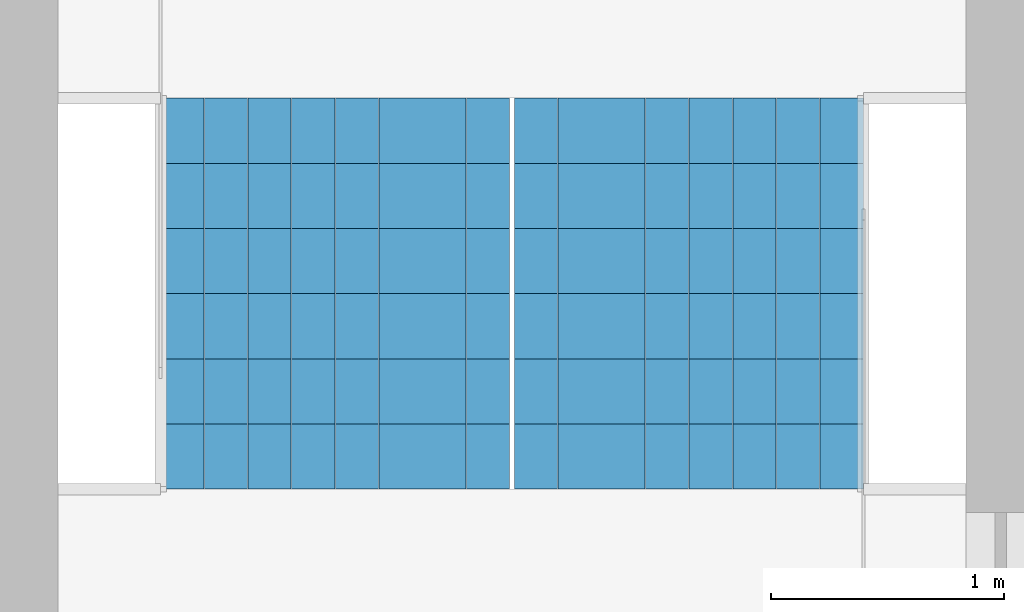
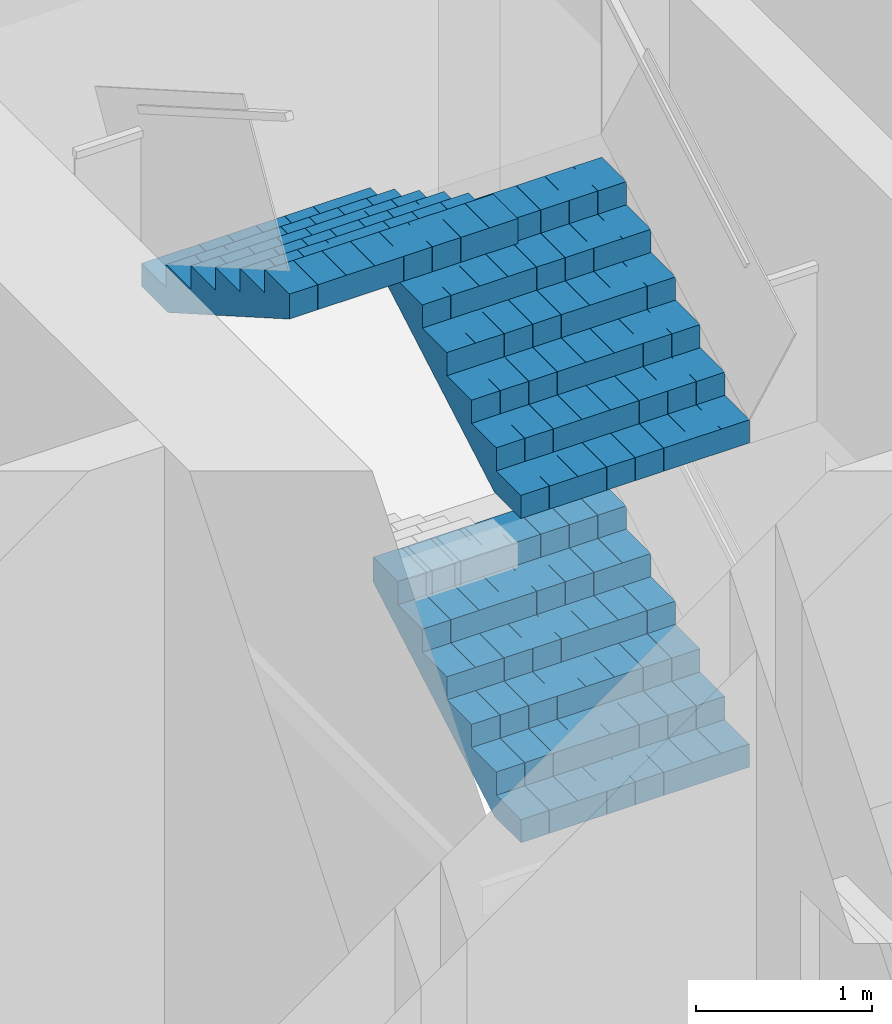
# One storey, part 21 of 23: 3 stair flights, 1 element without a shape of its own.
"""IFC4 building model written with IfcOpenShell, lengths in metres."""

from ifc_helpers import new_model, si_unit, direction, frame, origin, place, context, subcontext, project, spatial, polyline, outline, extrude, material, type_object, element, aggregate, save


model = new_model("IFC4")

# Units and contexts
model_context = context("Model", 3, precision=1e-05, world=origin(), true_north=direction((0.0, 1.0)))
body_context = subcontext(model_context, "Body", "Model", "MODEL_VIEW")
ifc_project = project(units=[si_unit("LENGTHUNIT", "METRE"), si_unit("AREAUNIT", "SQUARE_METRE"), si_unit("VOLUMEUNIT", "CUBIC_METRE"), si_unit("PLANEANGLEUNIT", "RADIAN"), si_unit("MASSUNIT", "GRAM", prefix="KILO")], contexts=[model_context])

# Site, building, storey
site_placement = place(None, origin())
site = spatial("IfcSite", under=ifc_project, at=site_placement, CompositionType="ELEMENT")
building_placement = place(site_placement, origin())
building = spatial("IfcBuilding", under=site, at=building_placement, Name="Kolab Exchange Tower", CompositionType="ELEMENT")
storey_placement = place(building_placement, frame((0.0, 0.0, 95.89990234375)))
storey = spatial("IfcBuildingStorey", under=building, at=storey_placement, Name="L18", CompositionType="ELEMENT", Elevation=95.89990234375)

# Stair, stair flights
ifc_material = material(Name="Concrete C50/60", Category="concrete")
stair_type = type_object("IfcStairType", Name="STAIR ST1 RISER 160.7", PredefinedType="DOUBLE_RETURN_STAIR", material=ifc_material)
stair_placement = place(storey_placement, origin())
stair = element("IfcStair", 1, at=stair_placement, inside=storey, type_object=stair_type, Name="Stair 1", PredefinedType="DOUBLE_RETURN_STAIR")
stair_flight_type = type_object("IfcStairFlightType", Name="STAIR FLIGHT 1500 RISER 160.7", PredefinedType="STRAIGHT", material=ifc_material)
stair_flight_1_placement = place(storey_placement, frame((-6.43994140625, 5.550048828125, 0.0), z_axis=(0.0, 0.0, 1.0), x_axis=(0.0, 1.0, 0.0)))
stair_flight_1 = element("IfcStairFlight", 2, at=stair_flight_1_placement, type_object=stair_flight_type, Name="ST1 flight 1", NumberOfRisers=7, NumberOfTreads=6, PredefinedType="STRAIGHT", RiserHeight=0.160714286, TreadLength=0.28, context=body_context, shape_type="SweptSolid", body=[
    extrude(outline(polyline([(0.0, 0.0), (0.0, 0.16064453125), (0.280029296875, 0.16064453125), (0.280029296875, 0.321533203125), (0.56005859375, 0.321533203125), (0.56005859375, 0.482177734375), (0.840087890625, 0.482177734375), (0.840087890625, 0.642822265625), (1.1201171875, 0.642822265625), (1.1201171875, 0.803466796875), (1.39990234375, 0.803466796875), (1.39990234375, 0.96435546875), (1.679931640625, 0.96435546875), (1.679931640625, 1.125), (1.679931640625, 0.79150390625), (0.301025390625, 0.0), (0.0, 0.0)])), frame((0.0, 0.75, 0.0), z_axis=(0.0, -1.0, 0.0), x_axis=(1.0, 0.0, 0.0)), (0.0, 0.0, 1.0), 0.185791015625),
    extrude(outline(polyline([(0.0, 0.0), (0.0, 0.16064453125), (0.280029296875, 0.16064453125), (0.280029296875, 0.321533203125), (0.56005859375, 0.321533203125), (0.56005859375, 0.482177734375), (0.840087890625, 0.482177734375), (0.840087890625, 0.642822265625), (1.1201171875, 0.642822265625), (1.1201171875, 0.803466796875), (1.39990234375, 0.803466796875), (1.39990234375, 0.96435546875), (1.679931640625, 0.96435546875), (1.679931640625, 1.125), (1.679931640625, 0.79150390625), (0.301025390625, 0.0), (0.0, 0.0)])), frame((0.0, 0.562255859375, 0.0), z_axis=(0.0, -1.0, 0.0), x_axis=(1.0, 0.0, 0.0)), (0.0, 0.0, 1.0), 0.185791015625),
    extrude(outline(polyline([(0.0, 0.0), (0.0, 0.16064453125), (0.280029296875, 0.16064453125), (0.280029296875, 0.321533203125), (0.56005859375, 0.321533203125), (0.56005859375, 0.482177734375), (0.840087890625, 0.482177734375), (0.840087890625, 0.642822265625), (1.1201171875, 0.642822265625), (1.1201171875, 0.803466796875), (1.39990234375, 0.803466796875), (1.39990234375, 0.96435546875), (1.679931640625, 0.96435546875), (1.679931640625, 1.125), (1.679931640625, 0.79150390625), (0.301025390625, 0.0), (0.0, 0.0)])), frame((0.0, 0.37451171875, 0.0), z_axis=(0.0, -1.0, 0.0), x_axis=(1.0, 0.0, 0.0)), (0.0, 0.0, 1.0), 0.185791015625),
    extrude(outline(polyline([(0.0, 0.0), (0.0, 0.16064453125), (0.280029296875, 0.16064453125), (0.280029296875, 0.321533203125), (0.56005859375, 0.321533203125), (0.56005859375, 0.482177734375), (0.840087890625, 0.482177734375), (0.840087890625, 0.642822265625), (1.1201171875, 0.642822265625), (1.1201171875, 0.803466796875), (1.39990234375, 0.803466796875), (1.39990234375, 0.96435546875), (1.679931640625, 0.96435546875), (1.679931640625, 1.125), (1.679931640625, 0.79150390625), (0.301025390625, 0.0), (0.0, 0.0)])), frame((0.0, 0.186767578125, 0.0), z_axis=(0.0, -1.0, 0.0), x_axis=(1.0, 0.0, 0.0)), (0.0, 0.0, 1.0), 0.185791015625),
    extrude(outline(polyline([(0.0, 0.0), (0.0, 0.16064453125), (0.280029296875, 0.16064453125), (0.280029296875, 0.321533203125), (0.56005859375, 0.321533203125), (0.56005859375, 0.482177734375), (0.840087890625, 0.482177734375), (0.840087890625, 0.642822265625), (1.1201171875, 0.642822265625), (1.1201171875, 0.803466796875), (1.39990234375, 0.803466796875), (1.39990234375, 0.96435546875), (1.679931640625, 0.96435546875), (1.679931640625, 1.125), (1.679931640625, 0.79150390625), (0.301025390625, 0.0), (0.0, 0.0)])), frame((0.0, -0.0009765625, 0.0), z_axis=(0.0, -1.0, 0.0), x_axis=(1.0, 0.0, 0.0)), (0.0, 0.0, 1.0), 0.185791015625),
    extrude(outline(polyline([(0.0, 0.0), (0.0, 0.16064453125), (0.280029296875, 0.16064453125), (0.280029296875, 0.321533203125), (0.56005859375, 0.321533203125), (0.56005859375, 0.482177734375), (0.840087890625, 0.482177734375), (0.840087890625, 0.642822265625), (1.1201171875, 0.642822265625), (1.1201171875, 0.803466796875), (1.39990234375, 0.803466796875), (1.39990234375, 0.96435546875), (1.679931640625, 0.96435546875), (1.679931640625, 1.125), (1.679931640625, 0.79150390625), (0.301025390625, 0.0), (0.0, 0.0)])), frame((0.0, -0.188720703125, 0.0), z_axis=(0.0, -1.0, 0.0), x_axis=(1.0, 0.0, 0.0)), (0.0, 0.0, 1.0), 0.185791015625),
    extrude(outline(polyline([(0.0, 0.0), (0.0, 0.16064453125), (0.280029296875, 0.16064453125), (0.280029296875, 0.321533203125), (0.56005859375, 0.321533203125), (0.56005859375, 0.482177734375), (0.840087890625, 0.482177734375), (0.840087890625, 0.642822265625), (1.1201171875, 0.642822265625), (1.1201171875, 0.803466796875), (1.39990234375, 0.803466796875), (1.39990234375, 0.96435546875), (1.679931640625, 0.96435546875), (1.679931640625, 1.125), (1.679931640625, 0.79150390625), (0.301025390625, 0.0), (0.0, 0.0)])), frame((0.0, -0.37646484375, 0.0), z_axis=(0.0, -1.0, 0.0), x_axis=(1.0, 0.0, 0.0)), (0.0, 0.0, 1.0), 0.185791015625),
    extrude(outline(polyline([(0.0, 0.0), (0.0, 0.16064453125), (0.280029296875, 0.16064453125), (0.280029296875, 0.321533203125), (0.56005859375, 0.321533203125), (0.56005859375, 0.482177734375), (0.840087890625, 0.482177734375), (0.840087890625, 0.642822265625), (1.1201171875, 0.642822265625), (1.1201171875, 0.803466796875), (1.39990234375, 0.803466796875), (1.39990234375, 0.96435546875), (1.679931640625, 0.96435546875), (1.679931640625, 1.125), (1.679931640625, 0.79150390625), (0.301025390625, 0.0), (0.0, 0.0)])), frame((0.0, -0.564208984375, 0.0), z_axis=(0.0, -1.0, 0.0), x_axis=(1.0, 0.0, 0.0)), (0.0, 0.0, 1.0), 0.185791015625),
])
stair_flight_2_placement = place(storey_placement, frame((-6.43994140625, 5.550048828125, 2.25), z_axis=(0.0, 0.0, 1.0), x_axis=(0.0, 1.0, 0.0)))
stair_flight_2 = element("IfcStairFlight", 3, at=stair_flight_2_placement, type_object=stair_flight_type, Name="ST1 flight 3", NumberOfRisers=7, NumberOfTreads=6, PredefinedType="STRAIGHT", RiserHeight=0.160714286, TreadLength=0.28, context=body_context, shape_type="SweptSolid", body=[
    extrude(outline(polyline([(0.0, 0.0), (0.0, 0.16064453125), (0.280029296875, 0.16064453125), (0.280029296875, 0.321533203125), (0.56005859375, 0.321533203125), (0.56005859375, 0.482177734375), (0.840087890625, 0.482177734375), (0.840087890625, 0.642822265625), (1.1201171875, 0.642822265625), (1.1201171875, 0.803466796875), (1.39990234375, 0.803466796875), (1.39990234375, 0.96435546875), (1.679931640625, 0.96435546875), (1.679931640625, 1.125), (1.679931640625, 0.79150390625), (0.301025390625, 0.0), (0.0, 0.0)])), frame((0.0, 0.75, 0.0), z_axis=(0.0, -1.0, 0.0), x_axis=(1.0, 0.0, 0.0)), (0.0, 0.0, 1.0), 0.185791015625),
    extrude(outline(polyline([(0.0, 0.0), (0.0, 0.16064453125), (0.280029296875, 0.16064453125), (0.280029296875, 0.321533203125), (0.56005859375, 0.321533203125), (0.56005859375, 0.482177734375), (0.840087890625, 0.482177734375), (0.840087890625, 0.642822265625), (1.1201171875, 0.642822265625), (1.1201171875, 0.803466796875), (1.39990234375, 0.803466796875), (1.39990234375, 0.96435546875), (1.679931640625, 0.96435546875), (1.679931640625, 1.125), (1.679931640625, 0.79150390625), (0.301025390625, 0.0), (0.0, 0.0)])), frame((0.0, 0.562255859375, 0.0), z_axis=(0.0, -1.0, 0.0), x_axis=(1.0, 0.0, 0.0)), (0.0, 0.0, 1.0), 0.185791015625),
    extrude(outline(polyline([(0.0, 0.0), (0.0, 0.16064453125), (0.280029296875, 0.16064453125), (0.280029296875, 0.321533203125), (0.56005859375, 0.321533203125), (0.56005859375, 0.482177734375), (0.840087890625, 0.482177734375), (0.840087890625, 0.642822265625), (1.1201171875, 0.642822265625), (1.1201171875, 0.803466796875), (1.39990234375, 0.803466796875), (1.39990234375, 0.96435546875), (1.679931640625, 0.96435546875), (1.679931640625, 1.125), (1.679931640625, 0.79150390625), (0.301025390625, 0.0), (0.0, 0.0)])), frame((0.0, 0.37451171875, 0.0), z_axis=(0.0, -1.0, 0.0), x_axis=(1.0, 0.0, 0.0)), (0.0, 0.0, 1.0), 0.185791015625),
    extrude(outline(polyline([(0.0, 0.0), (0.0, 0.16064453125), (0.280029296875, 0.16064453125), (0.280029296875, 0.321533203125), (0.56005859375, 0.321533203125), (0.56005859375, 0.482177734375), (0.840087890625, 0.482177734375), (0.840087890625, 0.642822265625), (1.1201171875, 0.642822265625), (1.1201171875, 0.803466796875), (1.39990234375, 0.803466796875), (1.39990234375, 0.96435546875), (1.679931640625, 0.96435546875), (1.679931640625, 1.125), (1.679931640625, 0.79150390625), (0.301025390625, 0.0), (0.0, 0.0)])), frame((0.0, 0.186767578125, 0.0), z_axis=(0.0, -1.0, 0.0), x_axis=(1.0, 0.0, 0.0)), (0.0, 0.0, 1.0), 0.185791015625),
    extrude(outline(polyline([(0.0, 0.0), (0.0, 0.16064453125), (0.280029296875, 0.16064453125), (0.280029296875, 0.321533203125), (0.56005859375, 0.321533203125), (0.56005859375, 0.482177734375), (0.840087890625, 0.482177734375), (0.840087890625, 0.642822265625), (1.1201171875, 0.642822265625), (1.1201171875, 0.803466796875), (1.39990234375, 0.803466796875), (1.39990234375, 0.96435546875), (1.679931640625, 0.96435546875), (1.679931640625, 1.125), (1.679931640625, 0.79150390625), (0.301025390625, 0.0), (0.0, 0.0)])), frame((0.0, -0.0009765625, 0.0), z_axis=(0.0, -1.0, 0.0), x_axis=(1.0, 0.0, 0.0)), (0.0, 0.0, 1.0), 0.185791015625),
    extrude(outline(polyline([(0.0, 0.0), (0.0, 0.16064453125), (0.280029296875, 0.16064453125), (0.280029296875, 0.321533203125), (0.56005859375, 0.321533203125), (0.56005859375, 0.482177734375), (0.840087890625, 0.482177734375), (0.840087890625, 0.642822265625), (1.1201171875, 0.642822265625), (1.1201171875, 0.803466796875), (1.39990234375, 0.803466796875), (1.39990234375, 0.96435546875), (1.679931640625, 0.96435546875), (1.679931640625, 1.125), (1.679931640625, 0.79150390625), (0.301025390625, 0.0), (0.0, 0.0)])), frame((0.0, -0.188720703125, 0.0), z_axis=(0.0, -1.0, 0.0), x_axis=(1.0, 0.0, 0.0)), (0.0, 0.0, 1.0), 0.185791015625),
    extrude(outline(polyline([(0.0, 0.0), (0.0, 0.16064453125), (0.280029296875, 0.16064453125), (0.280029296875, 0.321533203125), (0.56005859375, 0.321533203125), (0.56005859375, 0.482177734375), (0.840087890625, 0.482177734375), (0.840087890625, 0.642822265625), (1.1201171875, 0.642822265625), (1.1201171875, 0.803466796875), (1.39990234375, 0.803466796875), (1.39990234375, 0.96435546875), (1.679931640625, 0.96435546875), (1.679931640625, 1.125), (1.679931640625, 0.79150390625), (0.301025390625, 0.0), (0.0, 0.0)])), frame((0.0, -0.37646484375, 0.0), z_axis=(0.0, -1.0, 0.0), x_axis=(1.0, 0.0, 0.0)), (0.0, 0.0, 1.0), 0.185791015625),
    extrude(outline(polyline([(0.0, 0.0), (0.0, 0.16064453125), (0.280029296875, 0.16064453125), (0.280029296875, 0.321533203125), (0.56005859375, 0.321533203125), (0.56005859375, 0.482177734375), (0.840087890625, 0.482177734375), (0.840087890625, 0.642822265625), (1.1201171875, 0.642822265625), (1.1201171875, 0.803466796875), (1.39990234375, 0.803466796875), (1.39990234375, 0.96435546875), (1.679931640625, 0.96435546875), (1.679931640625, 1.125), (1.679931640625, 0.79150390625), (0.301025390625, 0.0), (0.0, 0.0)])), frame((0.0, -0.564208984375, 0.0), z_axis=(0.0, -1.0, 0.0), x_axis=(1.0, 0.0, 0.0)), (0.0, 0.0, 1.0), 0.185791015625),
])
stair_flight_3_placement = place(storey_placement, frame((-7.9599609375, 7.22998046875, 3.375), z_axis=(0.0, 0.0, 1.0), x_axis=(0.0, -1.0, 0.0)))
stair_flight_3 = element("IfcStairFlight", 4, at=stair_flight_3_placement, type_object=stair_flight_type, Name="ST1 flight 4", NumberOfRisers=7, NumberOfTreads=6, PredefinedType="STRAIGHT", RiserHeight=0.160714286, TreadLength=0.28, context=body_context, shape_type="SweptSolid", body=[
    extrude(outline(polyline([(0.0, 0.0), (0.0, 0.16064453125), (0.280029296875, 0.16064453125), (0.280029296875, 0.321533203125), (0.56005859375, 0.321533203125), (0.56005859375, 0.482177734375), (0.840087890625, 0.482177734375), (0.840087890625, 0.642822265625), (1.1201171875, 0.642822265625), (1.1201171875, 0.803466796875), (1.39990234375, 0.803466796875), (1.39990234375, 0.96435546875), (1.679931640625, 0.96435546875), (1.679931640625, 1.125), (1.679931640625, 0.79150390625), (0.301025390625, 0.0), (0.0, 0.0)])), frame((0.0, 0.75, 0.0), z_axis=(0.0, -1.0, 0.0), x_axis=(1.0, 0.0, 0.0)), (0.0, 0.0, 1.0), 0.185791015625),
    extrude(outline(polyline([(0.0, 0.0), (0.0, 0.16064453125), (0.280029296875, 0.16064453125), (0.280029296875, 0.321533203125), (0.56005859375, 0.321533203125), (0.56005859375, 0.482177734375), (0.840087890625, 0.482177734375), (0.840087890625, 0.642822265625), (1.1201171875, 0.642822265625), (1.1201171875, 0.803466796875), (1.39990234375, 0.803466796875), (1.39990234375, 0.96435546875), (1.679931640625, 0.96435546875), (1.679931640625, 1.125), (1.679931640625, 0.79150390625), (0.301025390625, 0.0), (0.0, 0.0)])), frame((0.0, 0.562255859375, 0.0), z_axis=(0.0, -1.0, 0.0), x_axis=(1.0, 0.0, 0.0)), (0.0, 0.0, 1.0), 0.185791015625),
    extrude(outline(polyline([(0.0, 0.0), (0.0, 0.16064453125), (0.280029296875, 0.16064453125), (0.280029296875, 0.321533203125), (0.56005859375, 0.321533203125), (0.56005859375, 0.482177734375), (0.840087890625, 0.482177734375), (0.840087890625, 0.642822265625), (1.1201171875, 0.642822265625), (1.1201171875, 0.803466796875), (1.39990234375, 0.803466796875), (1.39990234375, 0.96435546875), (1.679931640625, 0.96435546875), (1.679931640625, 1.125), (1.679931640625, 0.79150390625), (0.301025390625, 0.0), (0.0, 0.0)])), frame((0.0, 0.37451171875, 0.0), z_axis=(0.0, -1.0, 0.0), x_axis=(1.0, 0.0, 0.0)), (0.0, 0.0, 1.0), 0.185791015625),
    extrude(outline(polyline([(0.0, 0.0), (0.0, 0.16064453125), (0.280029296875, 0.16064453125), (0.280029296875, 0.321533203125), (0.56005859375, 0.321533203125), (0.56005859375, 0.482177734375), (0.840087890625, 0.482177734375), (0.840087890625, 0.642822265625), (1.1201171875, 0.642822265625), (1.1201171875, 0.803466796875), (1.39990234375, 0.803466796875), (1.39990234375, 0.96435546875), (1.679931640625, 0.96435546875), (1.679931640625, 1.125), (1.679931640625, 0.79150390625), (0.301025390625, 0.0), (0.0, 0.0)])), frame((0.0, 0.186767578125, 0.0), z_axis=(0.0, -1.0, 0.0), x_axis=(1.0, 0.0, 0.0)), (0.0, 0.0, 1.0), 0.185791015625),
    extrude(outline(polyline([(0.0, 0.0), (0.0, 0.16064453125), (0.280029296875, 0.16064453125), (0.280029296875, 0.321533203125), (0.56005859375, 0.321533203125), (0.56005859375, 0.482177734375), (0.840087890625, 0.482177734375), (0.840087890625, 0.642822265625), (1.1201171875, 0.642822265625), (1.1201171875, 0.803466796875), (1.39990234375, 0.803466796875), (1.39990234375, 0.96435546875), (1.679931640625, 0.96435546875), (1.679931640625, 1.125), (1.679931640625, 0.79150390625), (0.301025390625, 0.0), (0.0, 0.0)])), frame((0.0, -0.0009765625, 0.0), z_axis=(0.0, -1.0, 0.0), x_axis=(1.0, 0.0, 0.0)), (0.0, 0.0, 1.0), 0.185791015625),
    extrude(outline(polyline([(0.0, 0.0), (0.0, 0.16064453125), (0.280029296875, 0.16064453125), (0.280029296875, 0.321533203125), (0.56005859375, 0.321533203125), (0.56005859375, 0.482177734375), (0.840087890625, 0.482177734375), (0.840087890625, 0.642822265625), (1.1201171875, 0.642822265625), (1.1201171875, 0.803466796875), (1.39990234375, 0.803466796875), (1.39990234375, 0.96435546875), (1.679931640625, 0.96435546875), (1.679931640625, 1.125), (1.679931640625, 0.79150390625), (0.301025390625, 0.0), (0.0, 0.0)])), frame((0.0, -0.188720703125, 0.0), z_axis=(0.0, -1.0, 0.0), x_axis=(1.0, 0.0, 0.0)), (0.0, 0.0, 1.0), 0.185791015625),
    extrude(outline(polyline([(0.0, 0.0), (0.0, 0.16064453125), (0.280029296875, 0.16064453125), (0.280029296875, 0.321533203125), (0.56005859375, 0.321533203125), (0.56005859375, 0.482177734375), (0.840087890625, 0.482177734375), (0.840087890625, 0.642822265625), (1.1201171875, 0.642822265625), (1.1201171875, 0.803466796875), (1.39990234375, 0.803466796875), (1.39990234375, 0.96435546875), (1.679931640625, 0.96435546875), (1.679931640625, 1.125), (1.679931640625, 0.79150390625), (0.301025390625, 0.0), (0.0, 0.0)])), frame((0.0, -0.37646484375, 0.0), z_axis=(0.0, -1.0, 0.0), x_axis=(1.0, 0.0, 0.0)), (0.0, 0.0, 1.0), 0.185791015625),
    extrude(outline(polyline([(0.0, 0.0), (0.0, 0.16064453125), (0.280029296875, 0.16064453125), (0.280029296875, 0.321533203125), (0.56005859375, 0.321533203125), (0.56005859375, 0.482177734375), (0.840087890625, 0.482177734375), (0.840087890625, 0.642822265625), (1.1201171875, 0.642822265625), (1.1201171875, 0.803466796875), (1.39990234375, 0.803466796875), (1.39990234375, 0.96435546875), (1.679931640625, 0.96435546875), (1.679931640625, 1.125), (1.679931640625, 0.79150390625), (0.301025390625, 0.0), (0.0, 0.0)])), frame((0.0, -0.564208984375, 0.0), z_axis=(0.0, -1.0, 0.0), x_axis=(1.0, 0.0, 0.0)), (0.0, 0.0, 1.0), 0.185791015625),
])
aggregate(stair, [stair_flight_1, stair_flight_2, stair_flight_3])

save(model, "model.ifc")
